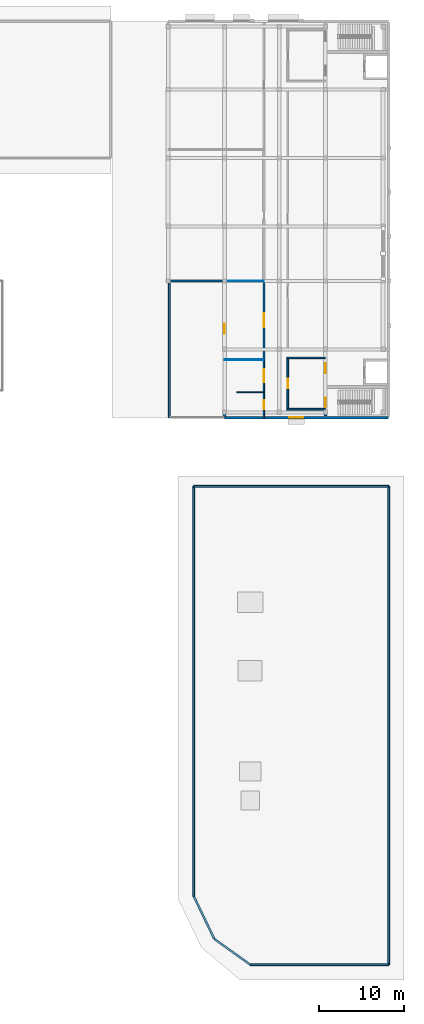
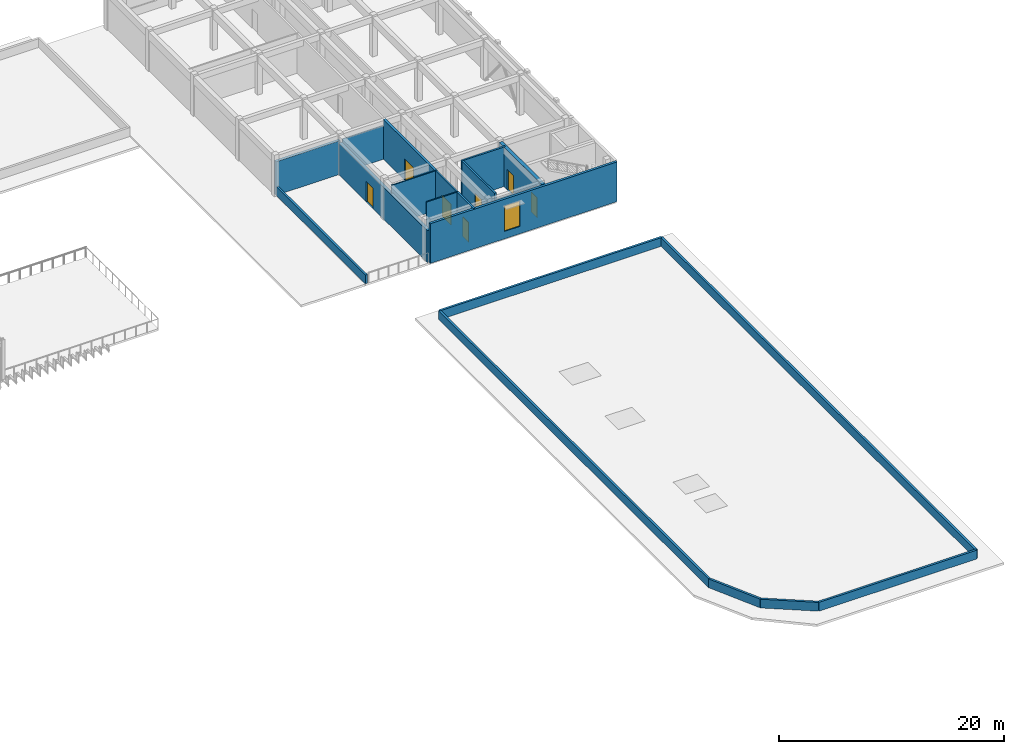
# One storey, part 30 of 45: 20 walls, 7 doors, 1 window, 8 openings.
"""IFC4 building model written with IfcOpenShell, lengths in metres."""

from ifc_helpers import new_model, si_unit, direction, frame, frame_2d, origin, place, context, subcontext, project, spatial, rectangle, extrude, material, layer, layer_set, type_object, element, fill, save


model = new_model("IFC4")

# Units and contexts
model_context = context("Model", 3, precision=1e-05, world=origin(), true_north=direction((0.0, 1.0)))
body_context = subcontext(model_context, "Body", "Model", "MODEL_VIEW")
ifc_project = project(units=[si_unit("LENGTHUNIT", "METRE"), si_unit("AREAUNIT", "SQUARE_METRE"), si_unit("VOLUMEUNIT", "CUBIC_METRE"), si_unit("PLANEANGLEUNIT", "RADIAN"), si_unit("MASSUNIT", "GRAM", prefix="KILO")], contexts=[model_context])

# Site, building, storey
site_placement = place(None, origin())
site = spatial("IfcSite", under=ifc_project, at=site_placement, CompositionType="ELEMENT")
building_placement = place(site_placement, origin())
building = spatial("IfcBuilding", under=site, at=building_placement, Name="Cinchona Park Media Centre", CompositionType="ELEMENT")
storey_placement = place(building_placement, frame((0.0, 0.0, 20.39990234375)))
storey = spatial("IfcBuildingStorey", under=building, at=storey_placement, Name="L04", CompositionType="ELEMENT", Elevation=20.39990234375)

# Wall, opening, door
ifc_material_1 = material(Name="Acoustic Double-Stud Gypsum Partition", Category="gypsum")
ifc_layer_1 = layer(ifc_material_1, 0.239990234375)
ifc_layer_set_1 = layer_set([ifc_layer_1], Name="Acoustic Double-Stud Gypsum Partition")
wall_type_1 = type_object("IfcWallType", Name="WALL-W-AC240", PredefinedType="PARTITIONING", material=ifc_layer_set_1)
wall_1_placement = place(storey_placement, frame((157.39990234375, 78.39990234375, 0.0), z_axis=(0.0, 0.0, 1.0), x_axis=(0.0, 1.0, 0.0)))
wall_1 = element("IfcWall", 1, at=wall_1_placement, inside=storey, type_object=wall_type_1, Name="Interior Wall W-AC240 L04", PredefinedType="PARTITIONING", context=body_context, shape_type="SweptSolid", body=[
    extrude(rectangle(XDim=9.2001953125, YDim=0.239990234375, at=frame_2d((4.60009765625, 0.0))), origin(), (0.0, 0.0, 1.0), 4.300048828125),
])
opening_1_placement = place(wall_1_placement, frame((3.800048828125, 0.0, 0.0)))
opening_1 = element("IfcOpeningElement", 2, at=opening_1_placement, cuts=wall_1, Name="Opening D346", PredefinedType="OPENING", context=body_context, shape_type="SweptSolid", body=[
    extrude(rectangle(XDim=1.60009765625, YDim=2.300048828125, at=frame_2d((0.800048828125, 1.14990234375))), frame((0.0, 0.1298828125, 0.0), z_axis=(0.0, -1.0, 0.0), x_axis=(1.0, 0.0, 0.0)), (0.0, 0.0, 1.0), 0.260009765625),
])
ifc_material_2 = material(Name="Solid-Core Timber Acoustic Door", Category="wood")
door_type_1 = type_object("IfcDoorType", Name="DOOR-DT17", OperationType="NOTDEFINED", PredefinedType="DOOR", material=ifc_material_2)
door_1_placement = place(opening_1_placement, origin())
door_1 = element("IfcDoor", 3, at=door_1_placement, inside=storey, type_object=door_type_1, Name="Interior Door D346", OperationType="SINGLE_SWING_RIGHT", OverallHeight=2.300048828125, OverallWidth=1.60009765625, PredefinedType="DOOR", context=body_context, shape_type="SweptSolid", body=[
    extrude(rectangle(XDim=1.60009765625, YDim=2.300048828125, at=frame_2d((0.800048828125, 1.14990234375))), frame((0.0, 0.02490234375, 0.0), z_axis=(0.0, -1.0, 0.0), x_axis=(1.0, 0.0, 0.0)), (0.0, 0.0, 1.0), 0.050048828125),
])
fill(opening_1, door_1)

# Wall, openings, doors
ifc_material_3 = material(Name="Concrete C40/50", Category="concrete")
ifc_layer_2 = layer(ifc_material_3, 0.35009765625)
ifc_layer_set_2 = layer_set([ifc_layer_2], Name="Concrete C40/50")
wall_type_2 = type_object("IfcWallType", Name="WALL-W-CR350", PredefinedType="SHEAR", material=ifc_layer_set_2)
wall_2_placement = place(storey_placement, frame((164.60009765625, 71.77490234375, 0.0), z_axis=(0.0, 0.0, 1.0), x_axis=(0.0, 1.0, 0.0)))
wall_2 = element("IfcWall", 4, at=wall_2_placement, inside=storey, type_object=wall_type_2, Name="Core Shear Wall W-CR350 L04", PredefinedType="SHEAR", context=body_context, shape_type="SweptSolid", body=[
    extrude(rectangle(XDim=7.572998046875, YDim=0.35009765625, at=frame_2d((3.78662109375, 0.0))), origin(), (0.0, 0.0, 1.0), 4.300048828125),
])
opening_2_placement = place(wall_2_placement, frame((1.074951171875, 0.0, 0.0)))
opening_2 = element("IfcOpeningElement", 5, at=opening_2_placement, cuts=wall_2, Name="Opening D106", PredefinedType="OPENING", context=body_context, shape_type="SweptSolid", body=[
    extrude(rectangle(XDim=1.10009765625, YDim=2.14990234375, at=frame_2d((0.550048828125, 1.074951171875))), frame((0.0, 0.18505859375, 0.0), z_axis=(0.0, -1.0, 0.0), x_axis=(1.0, 0.0, 0.0)), (0.0, 0.0, 1.0), 0.3701171875),
])
opening_3_placement = place(wall_2_placement, frame((5.050048828125, 0.0, 0.0)))
opening_3 = element("IfcOpeningElement", 6, at=opening_3_placement, cuts=wall_2, Name="Opening D107", PredefinedType="OPENING", context=body_context, shape_type="SweptSolid", body=[
    extrude(rectangle(XDim=1.14990234375, YDim=2.199951171875, at=frame_2d((0.574951171875, 1.10009765625))), frame((0.0, 0.18505859375, 0.0), z_axis=(0.0, -1.0, 0.0), x_axis=(1.0, 0.0, 0.0)), (0.0, 0.0, 1.0), 0.3701171875),
])
ifc_material_4 = material(Name="Insulated Fire-Rated Steel Door", Category="steel")
door_type_2 = type_object("IfcDoorType", Name="DOOR-DT-FF", OperationType="NOTDEFINED", PredefinedType="DOOR", material=ifc_material_4)
door_2_placement = place(opening_3_placement, origin())
door_2 = element("IfcDoor", 7, at=door_2_placement, inside=storey, type_object=door_type_2, Name="Interior Door D107", OperationType="SINGLE_SWING_LEFT", OverallHeight=2.199951171875, OverallWidth=1.14990234375, PredefinedType="DOOR", context=body_context, shape_type="SweptSolid", body=[
    extrude(rectangle(XDim=1.14990234375, YDim=2.199951171875, at=frame_2d((0.574951171875, 1.10009765625))), frame((0.0, 0.02490234375, 0.0), z_axis=(0.0, -1.0, 0.0), x_axis=(1.0, 0.0, 0.0)), (0.0, 0.0, 1.0), 0.050048828125),
])
fill(opening_3, door_2)
ifc_material_5 = material(Name="Insulated Fire-Rated Steel Door", Category="steel")
door_type_3 = type_object("IfcDoorType", Name="DOOR-DT-ST", OperationType="NOTDEFINED", PredefinedType="DOOR", material=ifc_material_5)
door_3_placement = place(opening_2_placement, origin())
door_3 = element("IfcDoor", 8, at=door_3_placement, inside=storey, type_object=door_type_3, Name="Interior Door D106", OperationType="SINGLE_SWING_RIGHT", OverallHeight=2.14990234375, OverallWidth=1.10009765625, PredefinedType="DOOR", context=body_context, shape_type="SweptSolid", body=[
    extrude(rectangle(XDim=1.10009765625, YDim=2.14990234375, at=frame_2d((0.550048828125, 1.074951171875))), frame((0.0, 0.02490234375, 0.0), z_axis=(0.0, -1.0, 0.0), x_axis=(1.0, 0.0, 0.0)), (0.0, 0.0, 1.0), 0.050048828125),
])
fill(opening_2, door_3)

# Wall, opening, door
ifc_material_6 = material(Name="Precast concrete C40/50", Category="concrete")
ifc_layer_3 = layer(ifc_material_6, 0.320068359375)
ifc_layer_set_3 = layer_set([ifc_layer_3], Name="Precast concrete C40/50")
wall_type_3 = type_object("IfcWallType", Name="WALL-W-EX02", PredefinedType="SOLIDWALL", material=ifc_layer_set_3)
wall_3_placement = place(storey_placement, frame((152.800048828125, 71.739990234375, 0.0), z_axis=(0.0, 0.0, 1.0), x_axis=(0.0, 1.0, 0.0)))
wall_3 = element("IfcWall", 9, at=wall_3_placement, inside=storey, type_object=wall_type_3, Name="Exterior Wall W-EX02 V7 L04", PredefinedType="SOLIDWALL", context=body_context, shape_type="SweptSolid", body=[
    extrude(rectangle(XDim=15.719970703125, YDim=0.320068359375, at=frame_2d((7.85986328125, 0.0))), origin(), (0.0, 0.0, 1.0), 3.4501953125),
])
opening_4_placement = place(wall_3_placement, frame((9.659912109375, 0.0, 0.0)))
opening_4 = element("IfcOpeningElement", 10, at=opening_4_placement, cuts=wall_3, Name="Opening D025", PredefinedType="OPENING", context=body_context, shape_type="SweptSolid", body=[
    extrude(rectangle(XDim=1.199951171875, YDim=2.199951171875, at=frame_2d((0.60009765625, 1.10009765625))), frame((0.0, 0.169921875, 0.0), z_axis=(0.0, -1.0, 0.0), x_axis=(1.0, 0.0, 0.0)), (0.0, 0.0, 1.0), 0.340087890625),
])
ifc_material_7 = material(Name="Insulated Steel and Laminated Glass Door", Category="steel")
door_type_4 = type_object("IfcDoorType", Name="DOOR-DT-TR1", OperationType="NOTDEFINED", PredefinedType="DOOR", material=ifc_material_7)
door_4_placement = place(opening_4_placement, origin())
door_4 = element("IfcDoor", 11, at=door_4_placement, inside=storey, type_object=door_type_4, Name="Exterior Door D025", OperationType="SINGLE_SWING_LEFT", OverallHeight=2.199951171875, OverallWidth=1.199951171875, PredefinedType="DOOR", context=body_context, shape_type="SweptSolid", body=[
    extrude(rectangle(XDim=1.199951171875, YDim=2.199951171875, at=frame_2d((0.60009765625, 1.10009765625))), frame((0.0, 0.02490234375, 0.0), z_axis=(0.0, -1.0, 0.0), x_axis=(1.0, 0.0, 0.0)), (0.0, 0.0, 1.0), 0.050048828125),
])
fill(opening_4, door_4)

# Wall
ifc_material_8 = material(Name="Precast concrete C40/50", Category="concrete")
ifc_layer_4 = layer(ifc_material_8, 0.27490234375)
ifc_layer_set_4 = layer_set([ifc_layer_4], Name="Precast concrete C40/50")
wall_type_4 = type_object("IfcWallType", Name="WALL-W-EX03", PredefinedType="SOLIDWALL", material=ifc_layer_set_4)
wall_4_placement = place(storey_placement, frame((152.800048828125, 87.60009765625, 0.0), z_axis=(0.0, 0.0, 1.0), x_axis=(-1.0, 0.0, 0.0)))
element("IfcWall", 12, at=wall_4_placement, inside=storey, type_object=wall_type_4, Name="Exterior Wall W-EX03 V7 L04", PredefinedType="SOLIDWALL", context=body_context, shape_type="SweptSolid", body=[
    extrude(rectangle(XDim=6.60009765625, YDim=0.27490234375, at=frame_2d((3.300048828125, 0.0))), origin(), (0.0, 0.0, 1.0), 3.650146484375),
])

# Wall, opening, window
ifc_material_9 = material(Name="Precast concrete C40/50", Category="concrete")
ifc_layer_5 = layer(ifc_material_9, 0.25)
ifc_layer_set_5 = layer_set([ifc_layer_5], Name="Precast concrete C40/50")
wall_type_5 = type_object("IfcWallType", Name="WALL-W-EX04", PredefinedType="SOLIDWALL", material=ifc_layer_set_5)
wall_5_placement = place(storey_placement, frame((172.0, 71.60009765625, 0.0), z_axis=(0.0, 0.0, 1.0), x_axis=(-1.0, 0.0, 0.0)))
wall_5 = element("IfcWall", 13, at=wall_5_placement, inside=storey, type_object=wall_type_5, Name="Exterior Wall W-EX04 V7 L04", PredefinedType="SOLIDWALL", context=body_context, shape_type="SweptSolid", body=[
    extrude(rectangle(XDim=19.199951171875, YDim=0.25, at=frame_2d((9.60009765625, 0.0))), origin(), (0.0, 0.0, 1.0), 4.300048828125),
])
opening_5_placement = place(wall_5_placement, frame((10.0, 0.0, 0.800048828125)))
opening_5 = element("IfcOpeningElement", 14, at=opening_5_placement, cuts=wall_5, Name="Opening WN37", PredefinedType="OPENING", context=body_context, shape_type="SweptSolid", body=[
    extrude(rectangle(XDim=1.60009765625, YDim=2.75, at=frame_2d((0.800048828125, 1.375))), frame((0.0, 0.135009765625, 0.0), z_axis=(0.0, -1.0, 0.0), x_axis=(1.0, 0.0, 0.0)), (0.0, 0.0, 1.0), 0.27001953125),
])
ifc_material_10 = material(Name="Thermally Broken Aluminium Solar-Control Window", Category="aluminium")
window_type = type_object("IfcWindowType", Name="WIN-WN37", PartitioningType="SINGLE_PANEL", PredefinedType="WINDOW", material=ifc_material_10)
window_placement = place(opening_5_placement, origin())
window = element("IfcWindow", 15, at=window_placement, inside=storey, type_object=window_type, Name="Window WN37 L04", OverallHeight=2.75, OverallWidth=1.60009765625, PartitioningType="SINGLE_PANEL", PredefinedType="WINDOW", context=body_context, shape_type="SweptSolid", body=[
    extrude(rectangle(XDim=1.60009765625, YDim=2.75, at=frame_2d((0.800048828125, 1.375))), frame((0.0, 0.030029296875, 0.0), z_axis=(0.0, -1.0, 0.0), x_axis=(1.0, 0.0, 0.0)), (0.0, 0.0, 1.0), 0.06005859375),
])
fill(opening_5, window)

# Walls
ifc_material_11 = material(Name="Precast concrete C40/50", Category="concrete")
ifc_layer_6 = layer(ifc_material_11, 0.219970703125)
ifc_layer_set_6 = layer_set([ifc_layer_6], Name="Precast concrete C40/50")
wall_type_6 = type_object("IfcWallType", Name="WALL-W-PR01", PredefinedType="PARAPET", material=ifc_layer_set_6)
wall_6_placement = place(storey_placement, frame((151.60009765625, 10.60009765625, 0.0), z_axis=(0.0, 0.0, 1.0), x_axis=(-0.432752533251, 0.901512753634, 0.0)))
element("IfcWall", 16, at=wall_6_placement, inside=storey, type_object=wall_type_6, Name="Roof Parapet Wall W-PR01 L04", PredefinedType="PARAPET", context=body_context, shape_type="SweptSolid", body=[
    extrude(rectangle(XDim=5.546142578125, YDim=0.219970703125, at=frame_2d((2.77294921875, 0.0))), origin(), (0.0, 0.0, 1.0), 0.9501953125),
])
wall_7_placement = place(storey_placement, frame((149.199951171875, 15.60009765625, 0.0), z_axis=(0.0, 0.0, 1.0), x_axis=(0.0, 1.0, 0.0)))
element("IfcWall", 17, at=wall_7_placement, inside=storey, type_object=wall_type_6, Name="Roof Parapet Wall W-PR01 L04", PredefinedType="PARAPET", context=body_context, shape_type="SweptSolid", body=[
    extrude(rectangle(XDim=48.0, YDim=0.219970703125, at=frame_2d((24.0, 0.0))), origin(), (0.0, 0.0, 1.0), 0.9501953125),
])
wall_8_placement = place(storey_placement, frame((149.199951171875, 63.60009765625, 0.0), z_axis=(0.0, 0.0, 1.0), x_axis=(1.0, 0.0, 0.0)))
element("IfcWall", 18, at=wall_8_placement, inside=storey, type_object=wall_type_6, Name="Roof Parapet Wall W-PR01 L04", PredefinedType="PARAPET", context=body_context, shape_type="SweptSolid", body=[
    extrude(rectangle(XDim=22.800048828125, YDim=0.219970703125, at=frame_2d((11.39990234375, 0.0))), origin(), (0.0, 0.0, 1.0), 0.9501953125),
])
wall_9_placement = place(storey_placement, frame((172.0, 63.60009765625, 0.0), z_axis=(0.0, 0.0, 1.0), x_axis=(0.0, -1.0, 0.0)))
element("IfcWall", 19, at=wall_9_placement, inside=storey, type_object=wall_type_6, Name="Roof Parapet Wall W-PR01 L04", PredefinedType="PARAPET", context=body_context, shape_type="SweptSolid", body=[
    extrude(rectangle(XDim=56.0, YDim=0.219970703125, at=frame_2d((28.0, 0.0))), origin(), (0.0, 0.0, 1.0), 0.9501953125),
])
wall_10_placement = place(storey_placement, frame((172.0, 7.60009765625, 0.0), z_axis=(0.0, 0.0, 1.0), x_axis=(-1.0, 0.0, 0.0)))
element("IfcWall", 20, at=wall_10_placement, inside=storey, type_object=wall_type_6, Name="Roof Parapet Wall W-PR01 L04", PredefinedType="PARAPET", context=body_context, shape_type="SweptSolid", body=[
    extrude(rectangle(XDim=16.199951171875, YDim=0.219970703125, at=frame_2d((8.10009765625, 0.0))), origin(), (0.0, 0.0, 1.0), 0.9501953125),
])
wall_11_placement = place(storey_placement, frame((155.800048828125, 7.60009765625, 0.0), z_axis=(0.0, 0.0, 1.0), x_axis=(-0.813730275137, 0.581242668191, 0.0)))
element("IfcWall", 21, at=wall_11_placement, inside=storey, type_object=wall_type_6, Name="Roof Parapet Wall W-PR01 L04", PredefinedType="PARAPET", context=body_context, shape_type="SweptSolid", body=[
    extrude(rectangle(XDim=5.161376953125, YDim=0.219970703125, at=frame_2d((2.58056640625, 0.0))), origin(), (0.0, 0.0, 1.0), 0.9501953125),
])
wall_12_placement = place(storey_placement, frame((146.320068359375, 71.6201171875, 0.0), z_axis=(0.0, 0.0, 1.0), x_axis=(0.0, 1.0, 0.0)))
element("IfcWall", 22, at=wall_12_placement, inside=storey, type_object=wall_type_6, Name="Court Terrace Dividing Parapet Wall W-PR01 L04", PredefinedType="PARAPET", context=body_context, shape_type="SweptSolid", body=[
    extrude(rectangle(XDim=15.929931640625, YDim=0.219970703125, at=frame_2d((7.96484375, 0.0))), origin(), (0.0, 0.0, 1.0), 0.9501953125),
])
ifc_material_12 = material(Name="Gypsum Metal-Stud Partition", Category="gypsum")
ifc_layer_7 = layer(ifc_material_12, 0.10009765625)
ifc_layer_set_7 = layer_set([ifc_layer_7], Name="Gypsum Metal-Stud Partition")
wall_type_7 = type_object("IfcWallType", Name="WALL-W-PT100", PredefinedType="PARTITIONING", material=ifc_layer_set_7)
wall_13_placement = place(storey_placement, frame((153.052001953125, 87.60009765625, 0.0), z_axis=(0.0, 0.0, 1.0), x_axis=(1.0, 0.0, 0.0)))
element("IfcWall", 23, at=wall_13_placement, inside=storey, type_object=wall_type_7, Name="Interior Wall W-PT100 L04", PredefinedType="PARTITIONING", context=body_context, shape_type="SweptSolid", body=[
    extrude(rectangle(XDim=4.347900390625, YDim=0.10009765625, at=frame_2d((2.173828125, 0.0))), origin(), (0.0, 0.0, 1.0), 3.650146484375),
])
ifc_material_13 = material(Name="Gypsum Metal-Stud Partition", Category="gypsum")
ifc_layer_8 = layer(ifc_material_13, 0.114990234375)
ifc_layer_set_8 = layer_set([ifc_layer_8], Name="Gypsum Metal-Stud Partition")
wall_type_8 = type_object("IfcWallType", Name="WALL-W-PT115", PredefinedType="PARTITIONING", material=ifc_layer_set_8)
wall_14_placement = place(storey_placement, frame((152.800048828125, 78.39990234375, 0.0), z_axis=(0.0, 0.0, 1.0), x_axis=(1.0, 0.0, 0.0)))
element("IfcWall", 24, at=wall_14_placement, inside=storey, type_object=wall_type_8, Name="Interior Wall W-PT115 L04", PredefinedType="PARTITIONING", context=body_context, shape_type="SweptSolid", body=[
    extrude(rectangle(XDim=4.599853515625, YDim=0.114990234375, at=frame_2d((2.2998046875, 0.0))), origin(), (0.0, 0.0, 1.0), 4.300048828125),
])
ifc_material_14 = material(Name="Gypsum Metal-Stud Partition", Category="gypsum")
ifc_layer_9 = layer(ifc_material_14, 0.135009765625)
ifc_layer_set_9 = layer_set([ifc_layer_9], Name="Gypsum Metal-Stud Partition")
wall_type_9 = type_object("IfcWallType", Name="WALL-W-PT135", PredefinedType="PARTITIONING", material=ifc_layer_set_9)
wall_15_placement = place(storey_placement, frame((154.199951171875, 74.60009765625, 0.0), z_axis=(0.0, 0.0, 1.0), x_axis=(1.0, 0.0, 0.0)))
element("IfcWall", 25, at=wall_15_placement, inside=storey, type_object=wall_type_9, Name="Interior Wall W-PT135 L04", PredefinedType="PARTITIONING", context=body_context, shape_type="SweptSolid", body=[
    extrude(rectangle(XDim=3.199951171875, YDim=0.135009765625, at=frame_2d((1.60009765625, 0.0))), origin(), (0.0, 0.0, 1.0), 4.300048828125),
])

# Wall, opening, door
ifc_material_15 = material(Name="Fire-Rated Gypsum Stud Partition", Category="gypsum")
ifc_layer_10 = layer(ifc_material_15, 0.14990234375)
ifc_layer_set_10 = layer_set([ifc_layer_10], Name="Fire-Rated Gypsum Stud Partition")
wall_type_10 = type_object("IfcWallType", Name="WALL-W-PT150", PredefinedType="PARTITIONING", material=ifc_layer_set_10)
wall_16_placement = place(storey_placement, frame((157.39990234375, 74.60009765625, 0.0), z_axis=(0.0, 0.0, 1.0), x_axis=(0.0, 1.0, 0.0)))
wall_16 = element("IfcWall", 26, at=wall_16_placement, inside=storey, type_object=wall_type_10, Name="Interior Wall W-PT150 L04", PredefinedType="PARTITIONING", context=body_context, shape_type="SweptSolid", body=[
    extrude(rectangle(XDim=3.7998046875, YDim=0.14990234375, at=frame_2d((1.89990234375, 0.0))), origin(), (0.0, 0.0, 1.0), 4.300048828125),
])
opening_6_placement = place(wall_16_placement, frame((1.125, 0.0, 0.0)))
opening_6 = element("IfcOpeningElement", 27, at=opening_6_placement, cuts=wall_16, Name="Opening D345", PredefinedType="OPENING", context=body_context, shape_type="SweptSolid", body=[
    extrude(rectangle(XDim=1.550048828125, YDim=2.25, at=frame_2d((0.77490234375, 1.125))), frame((0.0, 0.0849609375, 0.0), z_axis=(0.0, -1.0, 0.0), x_axis=(1.0, 0.0, 0.0)), (0.0, 0.0, 1.0), 0.169921875),
])
ifc_material_16 = material(Name="Solid-Core Timber Acoustic Door", Category="wood")
door_type_5 = type_object("IfcDoorType", Name="DOOR-DT16", OperationType="NOTDEFINED", PredefinedType="DOOR", material=ifc_material_16)
door_5_placement = place(opening_6_placement, origin())
door_5 = element("IfcDoor", 28, at=door_5_placement, inside=storey, type_object=door_type_5, Name="Interior Door D345", OperationType="SINGLE_SWING_LEFT", OverallHeight=2.25, OverallWidth=1.550048828125, PredefinedType="DOOR", context=body_context, shape_type="SweptSolid", body=[
    extrude(rectangle(XDim=1.550048828125, YDim=2.25, at=frame_2d((0.77490234375, 1.125))), frame((0.0, 0.02490234375, 0.0), z_axis=(0.0, -1.0, 0.0), x_axis=(1.0, 0.0, 0.0)), (0.0, 0.0, 1.0), 0.050048828125),
])
fill(opening_6, door_5)

ifc_material_17 = material(Name="Fire-Rated Gypsum Stud Partition", Category="gypsum")
ifc_layer_11 = layer(ifc_material_17, 0.1650390625)
ifc_layer_set_11 = layer_set([ifc_layer_11], Name="Fire-Rated Gypsum Stud Partition")
wall_type_11 = type_object("IfcWallType", Name="WALL-W-PT165", PredefinedType="PARTITIONING", material=ifc_layer_set_11)
wall_17_placement = place(storey_placement, frame((157.39990234375, 71.60009765625, 0.0), z_axis=(0.0, 0.0, 1.0), x_axis=(0.0, 1.0, 0.0)))
wall_17 = element("IfcWall", 29, at=wall_17_placement, inside=storey, type_object=wall_type_11, Name="Interior Wall W-PT165 L04", PredefinedType="PARTITIONING", context=body_context, shape_type="SweptSolid", body=[
    extrude(rectangle(XDim=3.0, YDim=0.1650390625, at=frame_2d((1.5, 0.0))), origin(), (0.0, 0.0, 1.0), 4.300048828125),
])
opening_7_placement = place(wall_17_placement, frame((0.97509765625, 0.0, 0.0)))
opening_7 = element("IfcOpeningElement", 30, at=opening_7_placement, cuts=wall_17, Name="Opening D344", PredefinedType="OPENING", context=body_context, shape_type="SweptSolid", body=[
    extrude(rectangle(XDim=1.050048828125, YDim=2.14990234375, at=frame_2d((0.52490234375, 1.074951171875))), frame((0.0, 0.092529296875, 0.0), z_axis=(0.0, -1.0, 0.0), x_axis=(1.0, 0.0, 0.0)), (0.0, 0.0, 1.0), 0.18505859375),
])
ifc_material_18 = material(Name="Solid-Core Timber Acoustic Door", Category="wood")
door_type_6 = type_object("IfcDoorType", Name="DOOR-DT06", OperationType="NOTDEFINED", PredefinedType="DOOR", material=ifc_material_18)
door_6_placement = place(opening_7_placement, origin())
door_6 = element("IfcDoor", 31, at=door_6_placement, inside=storey, type_object=door_type_6, Name="Interior Door D344", OperationType="SINGLE_SWING_RIGHT", OverallHeight=2.14990234375, OverallWidth=1.050048828125, PredefinedType="DOOR", context=body_context, shape_type="SweptSolid", body=[
    extrude(rectangle(XDim=1.050048828125, YDim=2.14990234375, at=frame_2d((0.52490234375, 1.074951171875))), frame((0.0, 0.02490234375, 0.0), z_axis=(0.0, -1.0, 0.0), x_axis=(1.0, 0.0, 0.0)), (0.0, 0.0, 1.0), 0.050048828125),
])
fill(opening_7, door_6)

# Walls
ifc_material_19 = material(Name="Fire-Rated Gypsum Stud Partition", Category="gypsum")
ifc_layer_12 = layer(ifc_material_19, 0.18994140625)
ifc_layer_set_12 = layer_set([ifc_layer_12], Name="Fire-Rated Gypsum Stud Partition")
wall_type_12 = type_object("IfcWallType", Name="WALL-W-PT190", PredefinedType="PARTITIONING", material=ifc_layer_set_12)
wall_18_placement = place(storey_placement, frame((160.10498046875, 72.60009765625, 0.0), z_axis=(0.0, 0.0, 1.0), x_axis=(1.0, 0.0, 0.0)))
element("IfcWall", 32, at=wall_18_placement, inside=storey, type_object=wall_type_12, Name="Interior Wall W-PT190 L04", PredefinedType="PARTITIONING", context=body_context, shape_type="SweptSolid", body=[
    extrude(rectangle(XDim=4.4951171875, YDim=0.18994140625, at=frame_2d((2.24755859375, 0.0))), origin(), (0.0, 0.0, 1.0), 3.650146484375),
])
wall_19_placement = place(storey_placement, frame((160.10498046875, 78.60009765625, 0.0), z_axis=(0.0, 0.0, 1.0), x_axis=(1.0, 0.0, 0.0)))
element("IfcWall", 33, at=wall_19_placement, inside=storey, type_object=wall_type_12, Name="Interior Wall W-PT190 L04", PredefinedType="PARTITIONING", context=body_context, shape_type="SweptSolid", body=[
    extrude(rectangle(XDim=4.4951171875, YDim=0.18994140625, at=frame_2d((2.24755859375, 0.0))), origin(), (0.0, 0.0, 1.0), 4.300048828125),
])

# Wall, opening, door
wall_20_placement = place(storey_placement, frame((160.199951171875, 72.695068359375, 0.0), z_axis=(0.0, 0.0, 1.0), x_axis=(0.0, 1.0, 0.0)))
wall_20 = element("IfcWall", 34, at=wall_20_placement, inside=storey, type_object=wall_type_12, Name="Interior Wall W-PT190 L04", PredefinedType="PARTITIONING", context=body_context, shape_type="SweptSolid", body=[
    extrude(rectangle(XDim=5.809814453125, YDim=0.18994140625, at=frame_2d((2.90478515625, 0.0))), origin(), (0.0, 0.0, 1.0), 4.300048828125),
])
opening_8_placement = place(wall_20_placement, frame((2.330078125, 0.0, 0.0)))
opening_8 = element("IfcOpeningElement", 35, at=opening_8_placement, cuts=wall_20, Name="Opening D108", PredefinedType="OPENING", context=body_context, shape_type="SweptSolid", body=[
    extrude(rectangle(XDim=1.14990234375, YDim=2.199951171875, at=frame_2d((0.574951171875, 1.10009765625))), frame((0.0, 0.10498046875, 0.0), z_axis=(0.0, -1.0, 0.0), x_axis=(1.0, 0.0, 0.0)), (0.0, 0.0, 1.0), 0.2099609375),
])
door_7_placement = place(opening_8_placement, origin())
door_7 = element("IfcDoor", 36, at=door_7_placement, inside=storey, type_object=door_type_2, Name="Interior Door D108", OperationType="SINGLE_SWING_RIGHT", OverallHeight=2.199951171875, OverallWidth=1.14990234375, PredefinedType="DOOR", context=body_context, shape_type="SweptSolid", body=[
    extrude(rectangle(XDim=1.14990234375, YDim=2.199951171875, at=frame_2d((0.574951171875, 1.10009765625))), frame((0.0, 0.02490234375, 0.0), z_axis=(0.0, -1.0, 0.0), x_axis=(1.0, 0.0, 0.0)), (0.0, 0.0, 1.0), 0.050048828125),
])
fill(opening_8, door_7)

save(model, "model.ifc")
